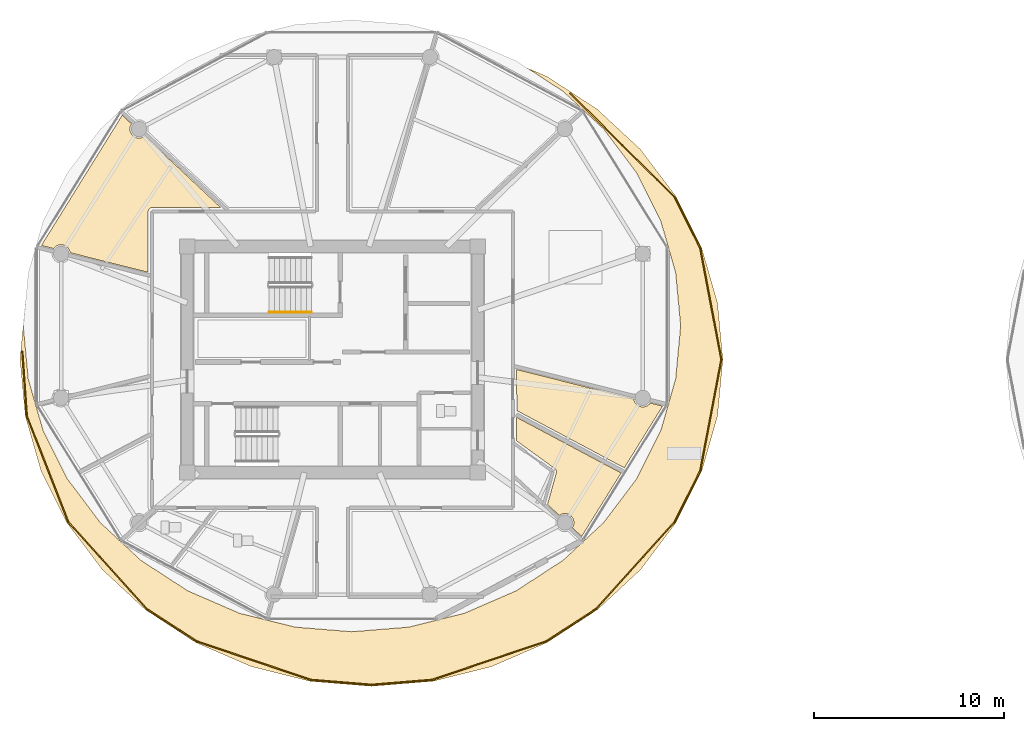
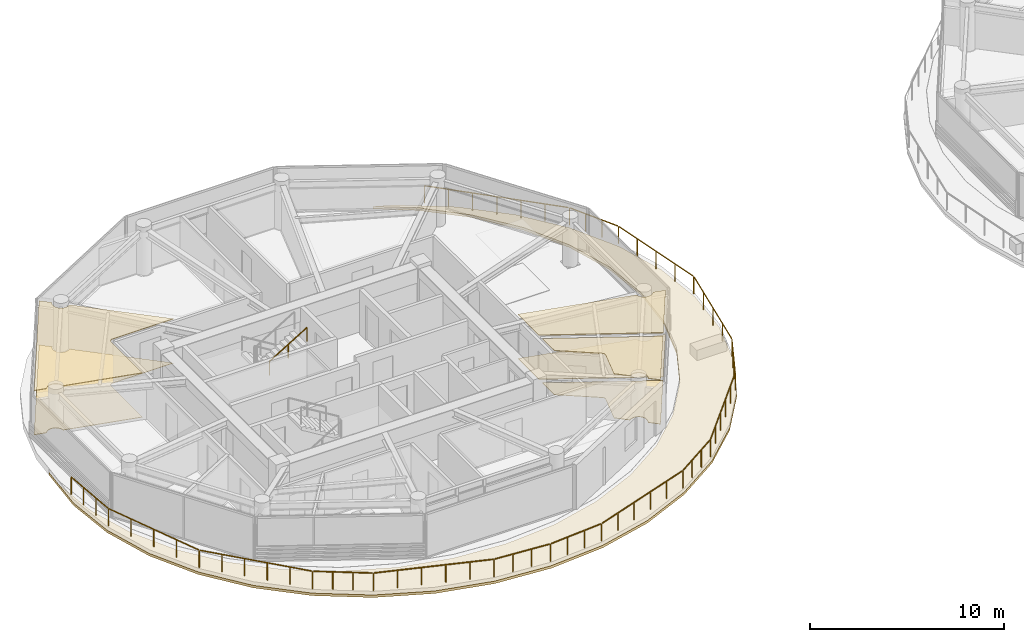
# One storey, part 20 of 28: 7 coverings, 2 railings.
"""IFC4 building model written with IfcOpenShell, lengths in metres."""

from ifc_helpers import new_model, si_unit, direction, frame, origin, origin_2d, place, context, subcontext, project, spatial, polyline, rectangle, outline, extrude, material, layer, layer_set, type_object, element, save


model = new_model("IFC4")

# Units and contexts
model_context = context("Model", 3, precision=1e-05, world=origin(), true_north=direction((0.0, 1.0)))
body_context = subcontext(model_context, "Body", "Model", "MODEL_VIEW")
ifc_project = project(units=[si_unit("LENGTHUNIT", "METRE"), si_unit("AREAUNIT", "SQUARE_METRE"), si_unit("VOLUMEUNIT", "CUBIC_METRE"), si_unit("PLANEANGLEUNIT", "RADIAN"), si_unit("MASSUNIT", "GRAM", prefix="KILO")], contexts=[model_context])

# Site, building, storey
site_placement = place(None, origin())
site = spatial("IfcSite", under=ifc_project, at=site_placement, CompositionType="ELEMENT")
building_placement = place(site_placement, origin())
building = spatial("IfcBuilding", under=site, at=building_placement, Name="Norrkilde Senior Care Towers", CompositionType="ELEMENT")
storey_placement = place(building_placement, frame((0.0, 0.0, 134.300048828125)))
storey = spatial("IfcBuildingStorey", under=building, at=storey_placement, Name="L41", CompositionType="ELEMENT", Elevation=134.300048828125)

# Coverings
ifc_material_1 = material(Name="Nordic Ash Timber", Category="wood")
ifc_layer_1 = layer(ifc_material_1, 0.044921875)
ifc_layer_set_1 = layer_set([ifc_layer_1], Name="Nordic Ash Timber")
covering_type_1 = type_object("IfcCoveringType", Name="Acoustic Ash Timber Slatted Ceiling 45", PredefinedType="CEILING", material=ifc_layer_set_1)
covering_1_placement = place(storey_placement, frame((0.0, 0.0, 2.764892578125)))
element("IfcCovering", 1, at=covering_1_placement, inside=storey, type_object=covering_type_1, Name="L41 Suspended Ceiling 0278", PredefinedType="CEILING", context=body_context, shape_type="SweptSolid", body=[
    extrude(outline(polyline([(-37.533203125, 7.9970703125), (-37.544677734375, 7.994873046875), (-37.552490234375, 7.992919921875), (-37.563720703125, 7.989501953125), (-37.571044921875, 7.98681640625), (-37.58203125, 7.982421875), (-37.589111328125, 7.97900390625), (-37.599365234375, 7.973388671875), (-37.606201171875, 7.969482421875), (-37.615966796875, 7.962890625), (-37.622314453125, 7.958251953125), (-37.63134765625, 7.95068359375), (-37.63720703125, 7.945556640625), (-37.6455078125, 7.937255859375), (-37.65087890625, 7.931396484375), (-37.658203125, 7.92236328125), (-37.662841796875, 7.916015625), (-37.66943359375, 7.90625), (-37.673583984375, 7.8994140625), (-37.678955078125, 7.888916015625), (-37.682373046875, 7.8818359375), (-37.68701171875, 7.87109375), (-37.689453125, 7.86376953125), (-37.69287109375, 7.852294921875), (-37.69482421875, 7.8447265625), (-37.697265625, 7.833251953125), (-37.6982421875, 7.825439453125), (-37.699462890625, 7.813720703125), (-37.699951171875, 7.805908203125), (-37.699951171875, 7.800048828125), (-37.699951171875, 4.5927734375), (-41.812744140625, 5.62548828125), (-41.8212890625, 5.691162109375), (-41.869140625, 5.80712890625), (-41.945556640625, 5.906494140625), (-42.044921875, 5.982666015625), (-42.16064453125, 6.03076171875), (-42.284912109375, 6.047119140625), (-42.4091796875, 6.03076171875), (-42.52490234375, 5.982666015625), (-42.624267578125, 5.906494140625), (-42.673828125, 5.841796875), (-43.324951171875, 6.00537109375), (-39.067626953125, 12.863037109375), (-38.57666015625, 12.40283203125), (-38.598388671875, 12.37451171875), (-38.646240234375, 12.2587890625), (-38.66259765625, 12.134521484375), (-38.646240234375, 12.01025390625), (-38.598388671875, 11.89453125), (-38.52197265625, 11.795166015625), (-38.422607421875, 11.71875), (-38.306884765625, 11.6708984375), (-38.1826171875, 11.654541015625), (-38.058349609375, 11.6708984375), (-37.942626953125, 11.71875), (-37.889892578125, 11.75927734375), (-33.879150390625, 8.0), (-37.5, 8.0), (-37.505859375, 7.999755859375), (-37.513671875, 7.99951171875), (-37.525390625, 7.998291015625), (-37.533203125, 7.9970703125)])), origin(), (0.0, 0.0, 1.0), 0.045166015625),
])
covering_2_placement = place(storey_placement, frame((0.0, 0.0, 2.764892578125)))
element("IfcCovering", 2, at=covering_2_placement, inside=storey, type_object=covering_type_1, Name="L41 Suspended Ceiling 0284", PredefinedType="CEILING", context=body_context, shape_type="SweptSolid", body=[
    extrude(outline(polyline([(-16.212646484375, -5.9541015625), (-16.211181640625, -5.9482421875), (-16.20947265625, -5.94140625), (-16.20751953125, -5.92919921875), (-16.20654296875, -5.92236328125), (-16.20556640625, -5.91015625), (-16.20556640625, -5.903076171875), (-16.205810546875, -5.890869140625), (-16.20654296875, -5.8837890625), (-16.2080078125, -5.871826171875), (-16.20947265625, -5.86474609375), (-16.212158203125, -5.852783203125), (-16.214111328125, -5.84619140625), (-16.21826171875, -5.834716796875), (-16.220703125, -5.828125), (-16.225830078125, -5.81689453125), (-16.229248046875, -5.810791015625), (-16.235595703125, -5.80029296875), (-16.239501953125, -5.79443359375), (-16.24658203125, -5.78466796875), (-16.251220703125, -5.779052734375), (-16.25927734375, -5.770263671875), (-16.264404296875, -5.76513671875), (-16.2734375, -5.757080078125), (-16.279052734375, -5.752685546875), (-16.283935546875, -5.748779296875), (-18.300048828125, -4.28564453125), (-18.300048828125, -3.04638671875), (-12.807861328125, -5.970458984375), (-14.88134765625, -9.310546875), (-15.26416015625, -8.95458984375), (-15.37353515625, -8.85205078125), (-15.3515625, -8.82373046875), (-15.3037109375, -8.7080078125), (-15.287353515625, -8.583740234375), (-15.3037109375, -8.45947265625), (-15.3515625, -8.34375), (-15.427978515625, -8.244384765625), (-15.52734375, -8.16796875), (-15.64306640625, -8.1201171875), (-15.767333984375, -8.103759765625), (-15.8916015625, -8.1201171875), (-16.00732421875, -8.16796875), (-16.06005859375, -8.20849609375), (-16.6826171875, -7.625), (-16.212646484375, -5.9541015625)])), origin(), (0.0, 0.0, 1.0), 0.045166015625),
])
covering_3_placement = place(storey_placement, frame((0.0, 0.0, 2.764892578125)))
element("IfcCovering", 3, at=covering_3_placement, inside=storey, type_object=covering_type_1, Name="L41 Suspended Ceiling 0285", PredefinedType="CEILING", context=body_context, shape_type="SweptSolid", body=[
    extrude(outline(polyline([(-18.300048828125, -0.527099609375), (-12.137451171875, -2.074951171875), (-12.128662109375, -2.140625), (-12.080810546875, -2.25634765625), (-12.00439453125, -2.355712890625), (-11.905029296875, -2.43212890625), (-11.789306640625, -2.47998046875), (-11.6650390625, -2.496337890625), (-11.540771484375, -2.47998046875), (-11.425048828125, -2.43212890625), (-11.32568359375, -2.355712890625), (-11.276123046875, -2.291259765625), (-10.625, -2.45458984375), (-12.638671875, -5.697998046875), (-18.22900390625, -2.7216796875), (-18.2998046875, -2.68359375), (-18.300048828125, -0.527099609375)])), origin(), (0.0, 0.0, 1.0), 0.045166015625),
])
ifc_material_2 = material(Name="EPDM Waterproofing and PIR Insulation")
ifc_layer_2 = layer(ifc_material_2, 0.159912109375)
ifc_layer_set_2 = layer_set([ifc_layer_2], Name="EPDM Waterproofing and PIR Insulation")
covering_type_2 = type_object("IfcCoveringType", Name="Insulated EPDM Roof Membrane 160", PredefinedType="ROOFING", material=ifc_layer_set_2)
covering_4_placement = place(storey_placement, frame((0.0, 0.0, -0.39013671875)))
element("IfcCovering", 4, at=covering_4_placement, inside=storey, type_object=covering_type_2, Name="L41 Drum W Crescent Terrace Roof Membrane", PredefinedType="ROOFING", context=body_context, shape_type="SweptSolid", body=[
    extrude(outline(polyline([(-16.699951171875, 14.895751953125), (-14.058349609375, 13.176025390625), (-11.778076171875, 11.055908203125), (-9.928466796875, 8.60009765625), (-8.565673828125, 5.8828125), (-7.73095703125, 2.98681640625), (-7.449951171875, 0.0), (-7.73095703125, -2.98681640625), (-8.565673828125, -5.8828125), (-9.928466796875, -8.60009765625), (-11.778076171875, -11.055908203125), (-14.058349609375, -13.176025390625), (-16.699951171875, -14.895751953125), (-19.62255859375, -16.16259765625), (-22.737548828125, -16.938720703125), (-25.949951171875, -17.199951171875), (-29.16259765625, -16.938720703125), (-32.27734375, -16.16259765625), (-35.199951171875, -14.895751953125), (-37.841552734375, -13.176025390625), (-40.121826171875, -11.055908203125), (-41.971435546875, -8.60009765625), (-43.334228515625, -5.8828125), (-44.1689453125, -2.98681640625), (-44.449951171875, 0.0), (-44.1689453125, 2.98681640625), (-44.164794921875, 3.001220703125), (-44.280029296875, 1.77587890625), (-44.280029296875, 1.775390625), (-44.280029296875, 1.77490234375), (-44.01708984375, -1.020751953125), (-44.01708984375, -1.021240234375), (-44.01708984375, -1.021728515625), (-43.236572265625, -3.732666015625), (-43.236328125, -3.73291015625), (-43.236083984375, -3.7333984375), (-41.961669921875, -6.27685546875), (-41.96142578125, -6.27734375), (-41.961181640625, -6.277587890625), (-40.2314453125, -8.576416015625), (-40.231201171875, -8.576904296875), (-40.23095703125, -8.5771484375), (-38.0986328125, -10.5615234375), (-38.098388671875, -10.56201171875), (-38.097900390625, -10.562255859375), (-35.627685546875, -12.171875), (-35.62744140625, -12.172119140625), (-35.626953125, -12.17236328125), (-32.89404296875, -13.3583984375), (-32.8935546875, -13.3583984375), (-32.89306640625, -13.358642578125), (-29.980224609375, -14.0849609375), (-29.97998046875, -14.0849609375), (-29.9794921875, -14.0849609375), (-26.975341796875, -14.32958984375), (-26.97509765625, -14.32958984375), (-26.974609375, -14.32958984375), (-23.970458984375, -14.0849609375), (-23.969970703125, -14.0849609375), (-23.9697265625, -14.0849609375), (-21.056884765625, -13.358642578125), (-21.056396484375, -13.3583984375), (-21.05615234375, -13.3583984375), (-18.322998046875, -12.17236328125), (-18.32275390625, -12.172119140625), (-18.322265625, -12.171875), (-15.85205078125, -10.562255859375), (-15.851806640625, -10.56201171875), (-15.851318359375, -10.5615234375), (-13.718994140625, -8.5771484375), (-13.71875, -8.576904296875), (-13.718505859375, -8.576416015625), (-11.98876953125, -6.277587890625), (-11.988525390625, -6.27734375), (-11.98828125, -6.27685546875), (-10.7138671875, -3.7333984375), (-10.713623046875, -3.73291015625), (-10.713623046875, -3.732666015625), (-9.93310546875, -1.021728515625), (-9.932861328125, -1.021240234375), (-9.932861328125, -1.020751953125), (-9.669921875, 1.77490234375), (-9.669921875, 1.775390625), (-9.669921875, 1.77587890625), (-9.932861328125, 4.571533203125), (-9.932861328125, 4.572021484375), (-9.93310546875, 4.572509765625), (-10.713623046875, 7.283203125), (-10.713623046875, 7.28369140625), (-10.7138671875, 7.2841796875), (-11.98828125, 9.82763671875), (-11.988525390625, 9.827880859375), (-11.98876953125, 9.828369140625), (-13.718505859375, 12.127197265625), (-13.71875, 12.127685546875), (-13.718994140625, 12.1279296875), (-15.851318359375, 14.1123046875), (-15.851806640625, 14.112548828125), (-15.85205078125, 14.11279296875), (-17.755615234375, 15.353271484375), (-16.699951171875, 14.895751953125)])), origin(), (0.0, 0.0, 1.0), 0.16015625),
])
ifc_material_3 = material(Name="Slip-Resistant Porcelain Stone", Category="masonry")
ifc_layer_3 = layer(ifc_material_3, 0.02490234375)
ifc_layer_set_3 = layer_set([ifc_layer_3], Name="Slip-Resistant Porcelain Stone")
covering_type_3 = type_object("IfcCoveringType", Name="Slip-Resistant Porcelain Flooring 25", PredefinedType="FLOORING", material=ifc_layer_set_3)
covering_5_placement = place(storey_placement, origin())
element("IfcCovering", 5, at=covering_5_placement, inside=storey, type_object=covering_type_3, Name="L41 Floor Finish 0278", PredefinedType="FLOORING", context=body_context, shape_type="SweptSolid", body=[
    extrude(outline(polyline([(-37.533203125, 7.9970703125), (-37.544677734375, 7.994873046875), (-37.552490234375, 7.992919921875), (-37.563720703125, 7.989501953125), (-37.571044921875, 7.98681640625), (-37.58203125, 7.982421875), (-37.589111328125, 7.97900390625), (-37.599365234375, 7.973388671875), (-37.606201171875, 7.969482421875), (-37.615966796875, 7.962890625), (-37.622314453125, 7.958251953125), (-37.63134765625, 7.95068359375), (-37.63720703125, 7.945556640625), (-37.6455078125, 7.937255859375), (-37.65087890625, 7.931396484375), (-37.658203125, 7.92236328125), (-37.662841796875, 7.916015625), (-37.66943359375, 7.90625), (-37.673583984375, 7.8994140625), (-37.678955078125, 7.888916015625), (-37.682373046875, 7.8818359375), (-37.68701171875, 7.87109375), (-37.689453125, 7.86376953125), (-37.69287109375, 7.852294921875), (-37.69482421875, 7.8447265625), (-37.697265625, 7.833251953125), (-37.6982421875, 7.825439453125), (-37.699462890625, 7.813720703125), (-37.699951171875, 7.805908203125), (-37.699951171875, 7.800048828125), (-37.699951171875, 4.5927734375), (-41.812744140625, 5.62548828125), (-41.8212890625, 5.691162109375), (-41.869140625, 5.80712890625), (-41.945556640625, 5.906494140625), (-42.044921875, 5.982666015625), (-42.16064453125, 6.03076171875), (-42.284912109375, 6.047119140625), (-42.4091796875, 6.03076171875), (-42.52490234375, 5.982666015625), (-42.624267578125, 5.906494140625), (-42.673828125, 5.841796875), (-43.324951171875, 6.00537109375), (-39.067626953125, 12.863037109375), (-38.57666015625, 12.40283203125), (-38.598388671875, 12.37451171875), (-38.646240234375, 12.2587890625), (-38.66259765625, 12.134521484375), (-38.646240234375, 12.01025390625), (-38.598388671875, 11.89453125), (-38.52197265625, 11.795166015625), (-38.422607421875, 11.71875), (-38.306884765625, 11.6708984375), (-38.1826171875, 11.654541015625), (-38.058349609375, 11.6708984375), (-37.942626953125, 11.71875), (-37.889892578125, 11.75927734375), (-33.879150390625, 8.0), (-37.5, 8.0), (-37.505859375, 7.999755859375), (-37.513671875, 7.99951171875), (-37.525390625, 7.998291015625), (-37.533203125, 7.9970703125)])), origin(), (0.0, 0.0, 1.0), 0.02490234375),
])
covering_6_placement = place(storey_placement, origin())
element("IfcCovering", 6, at=covering_6_placement, inside=storey, type_object=covering_type_3, Name="L41 Floor Finish 0284", PredefinedType="FLOORING", context=body_context, shape_type="SweptSolid", body=[
    extrude(outline(polyline([(-16.212646484375, -5.9541015625), (-16.211181640625, -5.9482421875), (-16.20947265625, -5.94140625), (-16.20751953125, -5.92919921875), (-16.20654296875, -5.92236328125), (-16.20556640625, -5.91015625), (-16.20556640625, -5.903076171875), (-16.205810546875, -5.890869140625), (-16.20654296875, -5.8837890625), (-16.2080078125, -5.871826171875), (-16.20947265625, -5.86474609375), (-16.212158203125, -5.852783203125), (-16.214111328125, -5.84619140625), (-16.21826171875, -5.834716796875), (-16.220703125, -5.828125), (-16.225830078125, -5.81689453125), (-16.229248046875, -5.810791015625), (-16.235595703125, -5.80029296875), (-16.239501953125, -5.79443359375), (-16.24658203125, -5.78466796875), (-16.251220703125, -5.779052734375), (-16.25927734375, -5.770263671875), (-16.264404296875, -5.76513671875), (-16.2734375, -5.757080078125), (-16.279052734375, -5.752685546875), (-16.283935546875, -5.748779296875), (-18.300048828125, -4.28564453125), (-18.300048828125, -3.04638671875), (-12.807861328125, -5.970458984375), (-14.88134765625, -9.310546875), (-15.26416015625, -8.95458984375), (-15.37353515625, -8.85205078125), (-15.3515625, -8.82373046875), (-15.3037109375, -8.7080078125), (-15.287353515625, -8.583740234375), (-15.3037109375, -8.45947265625), (-15.3515625, -8.34375), (-15.427978515625, -8.244384765625), (-15.52734375, -8.16796875), (-15.64306640625, -8.1201171875), (-15.767333984375, -8.103759765625), (-15.8916015625, -8.1201171875), (-16.00732421875, -8.16796875), (-16.06005859375, -8.20849609375), (-16.6826171875, -7.625), (-16.212646484375, -5.9541015625)])), origin(), (0.0, 0.0, 1.0), 0.02490234375),
])
covering_7_placement = place(storey_placement, origin())
element("IfcCovering", 7, at=covering_7_placement, inside=storey, type_object=covering_type_3, Name="L41 Floor Finish 0285", PredefinedType="FLOORING", context=body_context, shape_type="SweptSolid", body=[
    extrude(outline(polyline([(-18.300048828125, -0.527099609375), (-12.137451171875, -2.074951171875), (-12.128662109375, -2.140625), (-12.080810546875, -2.25634765625), (-12.00439453125, -2.355712890625), (-11.905029296875, -2.43212890625), (-11.789306640625, -2.47998046875), (-11.6650390625, -2.496337890625), (-11.540771484375, -2.47998046875), (-11.425048828125, -2.43212890625), (-11.32568359375, -2.355712890625), (-11.276123046875, -2.291259765625), (-10.625, -2.45458984375), (-12.638671875, -5.697998046875), (-18.22900390625, -2.7216796875), (-18.2998046875, -2.68359375), (-18.300048828125, -0.527099609375)])), origin(), (0.0, 0.0, 1.0), 0.02490234375),
])

# Railings
ifc_material_4 = material(Name="Stainless Steel", Category="steel")
railing_type_1 = type_object("IfcRailingType", Name="Stair and Terrace Guardrail 1100", PredefinedType="GUARDRAIL", material=ifc_material_4)
railing_1_placement = place(storey_placement, frame((-15.480712890625, 14.00634765625, 0.0)))
element("IfcRailing", 8, at=railing_1_placement, inside=storey, type_object=railing_type_1, Name="L41 Perimeter Safety Guard 02", PredefinedType="GUARDRAIL", context=body_context, shape_type="SweptSolid", body=[
    extrude(rectangle(XDim=0.048095703125, YDim=0.048095703125, at=origin_2d()), frame((0.0, 0.0, 1.09619140625), z_axis=(0.709376971751, -0.704829278584, 0.0), x_axis=(0.704829278584, 0.709376971751, 0.0)), (0.0, 0.0, 1.0), 7.689697265625),
    extrude(rectangle(XDim=0.048095703125, YDim=0.048095703125, at=origin_2d()), frame((5.502197265625, -5.4853515625, 1.09619140625), z_axis=(0.448310833462, -0.89387773023, 0.0), x_axis=(0.89387773023, 0.448310833462, 0.0)), (0.0, 0.0, 1.0), 2.943359375),
    extrude(rectangle(XDim=0.048095703125, YDim=0.048095703125, at=origin_2d()), frame((6.84765625, -8.193115234375, 1.09619140625), z_axis=(0.186366386151, -0.982480315382, 0.0), x_axis=(0.982480315382, 0.186366386151, 0.0)), (0.0, 0.0, 1.0), 5.876220703125),
    extrude(rectangle(XDim=0.048095703125, YDim=0.048095703125, at=origin_2d()), frame((7.94287109375, -14.046630859375, 1.09619140625), z_axis=(-0.186366386151, -0.982480315382, 0.0), x_axis=(0.982480315382, -0.186366386151, 0.0)), (0.0, 0.0, 1.0), 5.876220703125),
    extrude(rectangle(XDim=0.048095703125, YDim=0.048095703125, at=origin_2d()), frame((6.82177734375, -19.896484375, 1.09619140625), z_axis=(-0.448310833462, -0.89387773023, 0.0), x_axis=(0.89387773023, -0.448310833462, 0.0)), (0.0, 0.0, 1.0), 2.943359375),
    extrude(rectangle(XDim=0.048095703125, YDim=0.048095703125, at=origin_2d()), frame((5.45654296875, -22.59423828125, 1.09619140625), z_axis=(-0.669992867661, -0.742367535176, 0.0), x_axis=(0.742367535176, -0.669992867661, 0.0)), (0.0, 0.0, 1.0), 6.05419921875),
    extrude(rectangle(XDim=0.048095703125, YDim=0.048095703125, at=origin_2d()), frame((1.338623046875, -27.141357421875, 1.09619140625), z_axis=(-0.838068396137, -0.545565177955, 0.0), x_axis=(0.545565177955, -0.838068396137, 0.0)), (0.0, 0.0, 1.0), 3.056640625),
    extrude(rectangle(XDim=0.048095703125, YDim=0.048095703125, at=origin_2d()), frame((-1.296142578125, -28.844482421875, 1.09619140625), z_axis=(-0.947242741303, -0.320517065143, 0.0), x_axis=(0.320517065143, -0.947242741303, 0.0)), (0.0, 0.0, 1.0), 6.265625),
    extrude(rectangle(XDim=0.048095703125, YDim=0.048095703125, at=origin_2d()), frame((-7.310546875, -30.869140625, 1.09619140625), z_axis=(-0.996707985952, -0.08107521656, 0.0), x_axis=(0.08107521656, -0.996707985952, 0.0)), (0.0, 0.0, 1.0), 3.128173828125),
    extrude(rectangle(XDim=0.048095703125, YDim=0.048095703125, at=origin_2d()), frame((-10.510009765625, -31.12255859375, 1.09619140625), z_axis=(-0.996707985952, 0.08107521656, 0.0), x_axis=(-0.08107521656, -0.996707985952, 0.0)), (0.0, 0.0, 1.0), 3.128173828125),
    extrude(rectangle(XDim=0.048095703125, YDim=0.048095703125, at=origin_2d()), frame((-13.70751953125, -30.8525390625, 1.09619140625), z_axis=(-0.947246692497, 0.320505387712, 0.0), x_axis=(-0.320505387712, -0.947246692497, 0.0)), (0.0, 0.0, 1.0), 6.265869140625),
    extrude(rectangle(XDim=0.048095703125, YDim=0.048095703125, at=origin_2d()), frame((-19.715576171875, -28.80908203125, 1.09619140625), z_axis=(-0.838068396137, 0.545565177955, 0.0), x_axis=(-0.545565177955, -0.838068396137, 0.0)), (0.0, 0.0, 1.0), 3.056640625),
    extrude(rectangle(XDim=0.048095703125, YDim=0.048095703125, at=origin_2d()), frame((-22.3388671875, -27.0888671875, 1.09619140625), z_axis=(-0.669992867661, 0.742367535176, 0.0), x_axis=(-0.742367535176, -0.669992867661, 0.0)), (0.0, 0.0, 1.0), 6.05419921875),
    extrude(rectangle(XDim=0.048095703125, YDim=0.048095703125, at=origin_2d()), frame((-26.4375, -22.52587890625, 1.09619140625), z_axis=(-0.364538988008, 0.931188126117, 0.0), x_axis=(-0.931188126117, -0.364538988008, 0.0)), (0.0, 0.0, 1.0), 5.9169921875),
    extrude(rectangle(XDim=0.048095703125, YDim=0.048095703125, at=origin_2d()), frame((-28.6123046875, -16.937255859375, 1.09619140625), z_axis=(-0.070178303957, 0.997534463391, 0.0), x_axis=(-0.997534463391, -0.070178303957, 0.0)), (0.0, 0.0, 1.0), 3.368408203125),
    extrude(rectangle(XDim=0.0419921875, YDim=0.0419921875, at=origin_2d()), origin(), (0.0, 0.0, 1.0), 1.070068359375),
    extrude(rectangle(XDim=0.0419921875, YDim=0.0419921875, at=origin_2d()), frame((0.9140625, -0.908203125, 0.0)), (0.0, 0.0, 1.0), 1.070068359375),
    extrude(rectangle(XDim=0.0419921875, YDim=0.0419921875, at=origin_2d()), frame((1.827880859375, -1.816162109375, 0.0)), (0.0, 0.0, 1.0), 1.070068359375),
    extrude(rectangle(XDim=0.0419921875, YDim=0.0419921875, at=origin_2d()), frame((2.741943359375, -2.724365234375, 0.0)), (0.0, 0.0, 1.0), 1.070068359375),
    extrude(rectangle(XDim=0.0419921875, YDim=0.0419921875, at=origin_2d()), frame((3.656005859375, -3.632568359375, 0.0)), (0.0, 0.0, 1.0), 1.070068359375),
    extrude(rectangle(XDim=0.0419921875, YDim=0.0419921875, at=origin_2d()), frame((4.56982421875, -4.54052734375, 0.0)), (0.0, 0.0, 1.0), 1.070068359375),
    extrude(rectangle(XDim=0.0419921875, YDim=0.0419921875, at=origin_2d()), frame((5.48388671875, -5.44873046875, 0.0)), (0.0, 0.0, 1.0), 1.070068359375),
    extrude(rectangle(XDim=0.0419921875, YDim=0.0419921875, at=origin_2d()), frame((5.93603515625, -6.35009765625, 0.0)), (0.0, 0.0, 1.0), 1.070068359375),
    extrude(rectangle(XDim=0.0419921875, YDim=0.0419921875, at=origin_2d()), frame((6.387939453125, -7.25146484375, 0.0)), (0.0, 0.0, 1.0), 1.070068359375),
    extrude(rectangle(XDim=0.0419921875, YDim=0.0419921875, at=origin_2d()), frame((6.840087890625, -8.15283203125, 0.0)), (0.0, 0.0, 1.0), 1.070068359375),
    extrude(rectangle(XDim=0.0419921875, YDim=0.0419921875, at=origin_2d()), frame((7.11767578125, -9.6162109375, 0.0)), (0.0, 0.0, 1.0), 1.070068359375),
    extrude(rectangle(XDim=0.0419921875, YDim=0.0419921875, at=origin_2d()), frame((7.395263671875, -11.07958984375, 0.0)), (0.0, 0.0, 1.0), 1.070068359375),
    extrude(rectangle(XDim=0.0419921875, YDim=0.0419921875, at=origin_2d()), frame((7.6728515625, -12.54296875, 0.0)), (0.0, 0.0, 1.0), 1.070068359375),
    extrude(rectangle(XDim=0.0419921875, YDim=0.0419921875, at=origin_2d()), frame((7.950439453125, -14.00634765625, 0.0)), (0.0, 0.0, 1.0), 1.070068359375),
    extrude(rectangle(XDim=0.0419921875, YDim=0.0419921875, at=origin_2d()), frame((7.6728515625, -15.4697265625, 0.0)), (0.0, 0.0, 1.0), 1.070068359375),
    extrude(rectangle(XDim=0.0419921875, YDim=0.0419921875, at=origin_2d()), frame((7.395263671875, -16.93310546875, 0.0)), (0.0, 0.0, 1.0), 1.070068359375),
    extrude(rectangle(XDim=0.0419921875, YDim=0.0419921875, at=origin_2d()), frame((7.11767578125, -18.396484375, 0.0)), (0.0, 0.0, 1.0), 1.070068359375),
    extrude(rectangle(XDim=0.0419921875, YDim=0.0419921875, at=origin_2d()), frame((6.840087890625, -19.85986328125, 0.0)), (0.0, 0.0, 1.0), 1.070068359375),
    extrude(rectangle(XDim=0.0419921875, YDim=0.0419921875, at=origin_2d()), frame((6.387939453125, -20.76123046875, 0.0)), (0.0, 0.0, 1.0), 1.070068359375),
    extrude(rectangle(XDim=0.0419921875, YDim=0.0419921875, at=origin_2d()), frame((5.93603515625, -21.66259765625, 0.0)), (0.0, 0.0, 1.0), 1.070068359375),
    extrude(rectangle(XDim=0.0419921875, YDim=0.0419921875, at=origin_2d()), frame((5.48388671875, -22.56396484375, 0.0)), (0.0, 0.0, 1.0), 1.070068359375),
    extrude(rectangle(XDim=0.0419921875, YDim=0.0419921875, at=origin_2d()), frame((4.66162109375, -23.47509765625, 0.0)), (0.0, 0.0, 1.0), 1.070068359375),
    extrude(rectangle(XDim=0.0419921875, YDim=0.0419921875, at=origin_2d()), frame((3.83935546875, -24.385986328125, 0.0)), (0.0, 0.0, 1.0), 1.070068359375),
    extrude(rectangle(XDim=0.0419921875, YDim=0.0419921875, at=origin_2d()), frame((3.017333984375, -25.297119140625, 0.0)), (0.0, 0.0, 1.0), 1.070068359375),
    extrude(rectangle(XDim=0.0419921875, YDim=0.0419921875, at=origin_2d()), frame((2.195068359375, -26.2080078125, 0.0)), (0.0, 0.0, 1.0), 1.070068359375),
    extrude(rectangle(XDim=0.0419921875, YDim=0.0419921875, at=origin_2d()), frame((1.372802734375, -27.119140625, 0.0)), (0.0, 0.0, 1.0), 1.070068359375),
    extrude(rectangle(XDim=0.0419921875, YDim=0.0419921875, at=origin_2d()), frame((0.49609375, -27.68994140625, 0.0)), (0.0, 0.0, 1.0), 1.070068359375),
    extrude(rectangle(XDim=0.0419921875, YDim=0.0419921875, at=origin_2d()), frame((-0.380615234375, -28.260498046875, 0.0)), (0.0, 0.0, 1.0), 1.070068359375),
    extrude(rectangle(XDim=0.0419921875, YDim=0.0419921875, at=origin_2d()), frame((-1.25732421875, -28.831298828125, 0.0)), (0.0, 0.0, 1.0), 1.070068359375),
    extrude(rectangle(XDim=0.0419921875, YDim=0.0419921875, at=origin_2d()), frame((-2.459716796875, -29.23828125, 0.0)), (0.0, 0.0, 1.0), 1.070068359375),
    extrude(rectangle(XDim=0.0419921875, YDim=0.0419921875, at=origin_2d()), frame((-3.662353515625, -29.64501953125, 0.0)), (0.0, 0.0, 1.0), 1.070068359375),
    extrude(rectangle(XDim=0.0419921875, YDim=0.0419921875, at=origin_2d()), frame((-4.86474609375, -30.052001953125, 0.0)), (0.0, 0.0, 1.0), 1.070068359375),
    extrude(rectangle(XDim=0.0419921875, YDim=0.0419921875, at=origin_2d()), frame((-6.0673828125, -30.458740234375, 0.0)), (0.0, 0.0, 1.0), 1.070068359375),
    extrude(rectangle(XDim=0.0419921875, YDim=0.0419921875, at=origin_2d()), frame((-7.269775390625, -30.86572265625, 0.0)), (0.0, 0.0, 1.0), 1.070068359375),
    extrude(rectangle(XDim=0.0419921875, YDim=0.0419921875, at=origin_2d()), frame((-8.336181640625, -30.952392578125, 0.0)), (0.0, 0.0, 1.0), 1.070068359375),
    extrude(rectangle(XDim=0.0419921875, YDim=0.0419921875, at=origin_2d()), frame((-9.40283203125, -31.039306640625, 0.0)), (0.0, 0.0, 1.0), 1.070068359375),
    extrude(rectangle(XDim=0.0419921875, YDim=0.0419921875, at=origin_2d()), frame((-10.46923828125, -31.1259765625, 0.0)), (0.0, 0.0, 1.0), 1.070068359375),
    extrude(rectangle(XDim=0.0419921875, YDim=0.0419921875, at=origin_2d()), frame((-11.53564453125, -31.039306640625, 0.0)), (0.0, 0.0, 1.0), 1.070068359375),
    extrude(rectangle(XDim=0.0419921875, YDim=0.0419921875, at=origin_2d()), frame((-12.602294921875, -30.952392578125, 0.0)), (0.0, 0.0, 1.0), 1.070068359375),
    extrude(rectangle(XDim=0.0419921875, YDim=0.0419921875, at=origin_2d()), frame((-13.668701171875, -30.86572265625, 0.0)), (0.0, 0.0, 1.0), 1.070068359375),
    extrude(rectangle(XDim=0.0419921875, YDim=0.0419921875, at=origin_2d()), frame((-14.871337890625, -30.458740234375, 0.0)), (0.0, 0.0, 1.0), 1.070068359375),
    extrude(rectangle(XDim=0.0419921875, YDim=0.0419921875, at=origin_2d()), frame((-16.07373046875, -30.052001953125, 0.0)), (0.0, 0.0, 1.0), 1.070068359375),
    extrude(rectangle(XDim=0.0419921875, YDim=0.0419921875, at=origin_2d()), frame((-17.2763671875, -29.64501953125, 0.0)), (0.0, 0.0, 1.0), 1.070068359375),
    extrude(rectangle(XDim=0.0419921875, YDim=0.0419921875, at=origin_2d()), frame((-18.478759765625, -29.23828125, 0.0)), (0.0, 0.0, 1.0), 1.070068359375),
    extrude(rectangle(XDim=0.0419921875, YDim=0.0419921875, at=origin_2d()), frame((-19.681396484375, -28.831298828125, 0.0)), (0.0, 0.0, 1.0), 1.070068359375),
    extrude(rectangle(XDim=0.0419921875, YDim=0.0419921875, at=origin_2d()), frame((-20.55810546875, -28.260498046875, 0.0)), (0.0, 0.0, 1.0), 1.070068359375),
    extrude(rectangle(XDim=0.0419921875, YDim=0.0419921875, at=origin_2d()), frame((-21.434814453125, -27.68994140625, 0.0)), (0.0, 0.0, 1.0), 1.070068359375),
    extrude(rectangle(XDim=0.0419921875, YDim=0.0419921875, at=origin_2d()), frame((-22.3115234375, -27.119140625, 0.0)), (0.0, 0.0, 1.0), 1.070068359375),
    extrude(rectangle(XDim=0.0419921875, YDim=0.0419921875, at=origin_2d()), frame((-23.1337890625, -26.2080078125, 0.0)), (0.0, 0.0, 1.0), 1.070068359375),
    extrude(rectangle(XDim=0.0419921875, YDim=0.0419921875, at=origin_2d()), frame((-23.9560546875, -25.297119140625, 0.0)), (0.0, 0.0, 1.0), 1.070068359375),
    extrude(rectangle(XDim=0.0419921875, YDim=0.0419921875, at=origin_2d()), frame((-24.778076171875, -24.385986328125, 0.0)), (0.0, 0.0, 1.0), 1.070068359375),
    extrude(rectangle(XDim=0.0419921875, YDim=0.0419921875, at=origin_2d()), frame((-25.600341796875, -23.47509765625, 0.0)), (0.0, 0.0, 1.0), 1.070068359375),
    extrude(rectangle(XDim=0.0419921875, YDim=0.0419921875, at=origin_2d()), frame((-26.422607421875, -22.56396484375, 0.0)), (0.0, 0.0, 1.0), 1.070068359375),
    extrude(rectangle(XDim=0.0419921875, YDim=0.0419921875, at=origin_2d()), frame((-26.96923828125, -21.16748046875, 0.0)), (0.0, 0.0, 1.0), 1.070068359375),
    extrude(rectangle(XDim=0.0419921875, YDim=0.0419921875, at=origin_2d()), frame((-27.51611328125, -19.77099609375, 0.0)), (0.0, 0.0, 1.0), 1.070068359375),
    extrude(rectangle(XDim=0.0419921875, YDim=0.0419921875, at=origin_2d()), frame((-28.062744140625, -18.37451171875, 0.0)), (0.0, 0.0, 1.0), 1.070068359375),
    extrude(rectangle(XDim=0.0419921875, YDim=0.0419921875, at=origin_2d()), frame((-28.609375, -16.97802734375, 0.0)), (0.0, 0.0, 1.0), 1.070068359375),
    extrude(rectangle(XDim=0.0419921875, YDim=0.0419921875, at=origin_2d()), frame((-28.689208984375, -15.844482421875, 0.0)), (0.0, 0.0, 1.0), 1.070068359375),
    extrude(rectangle(XDim=0.0419921875, YDim=0.0419921875, at=origin_2d()), frame((-28.768798828125, -14.710693359375, 0.0)), (0.0, 0.0, 1.0), 1.070068359375),
    extrude(rectangle(XDim=0.0419921875, YDim=0.0419921875, at=origin_2d()), frame((-28.8486328125, -13.5771484375, 0.0)), (0.0, 0.0, 1.0), 1.070068359375),
])
railing_type_2 = type_object("IfcRailingType", Name="Wall and Stair Handrail 900", PredefinedType="HANDRAIL", material=ifc_material_1)
railing_2_placement = place(storey_placement, frame((-31.340087890625, 2.5, 1.6943359375)))
element("IfcRailing", 9, at=railing_2_placement, inside=storey, type_object=railing_type_2, Name="L41 ST-W1 stair handrail 2", PredefinedType="HANDRAIL", context=body_context, shape_type="SweptSolid", body=[
    extrude(rectangle(XDim=0.048095703125, YDim=0.048095703125, at=origin_2d()), frame((0.0, 0.0, 0.8759765625), z_axis=(0.855512035549, 0.0, 0.517782924622), x_axis=(0.0, 1.0, 0.0)), (0.0, 0.0, 1.0), 2.618408203125),
    extrude(rectangle(XDim=0.0419921875, YDim=0.0419921875, at=origin_2d()), origin(), (0.0, 0.0, 1.0), 0.849853515625),
    extrude(rectangle(XDim=0.0419921875, YDim=0.0419921875, at=origin_2d()), frame((1.1201171875, 0.0, 0.677734375)), (0.0, 0.0, 1.0), 0.849853515625),
    extrude(rectangle(XDim=0.0419921875, YDim=0.0419921875, at=origin_2d()), frame((2.239990234375, 0.0, 1.355712890625)), (0.0, 0.0, 1.0), 0.849853515625),
])

save(model, "model.ifc")
